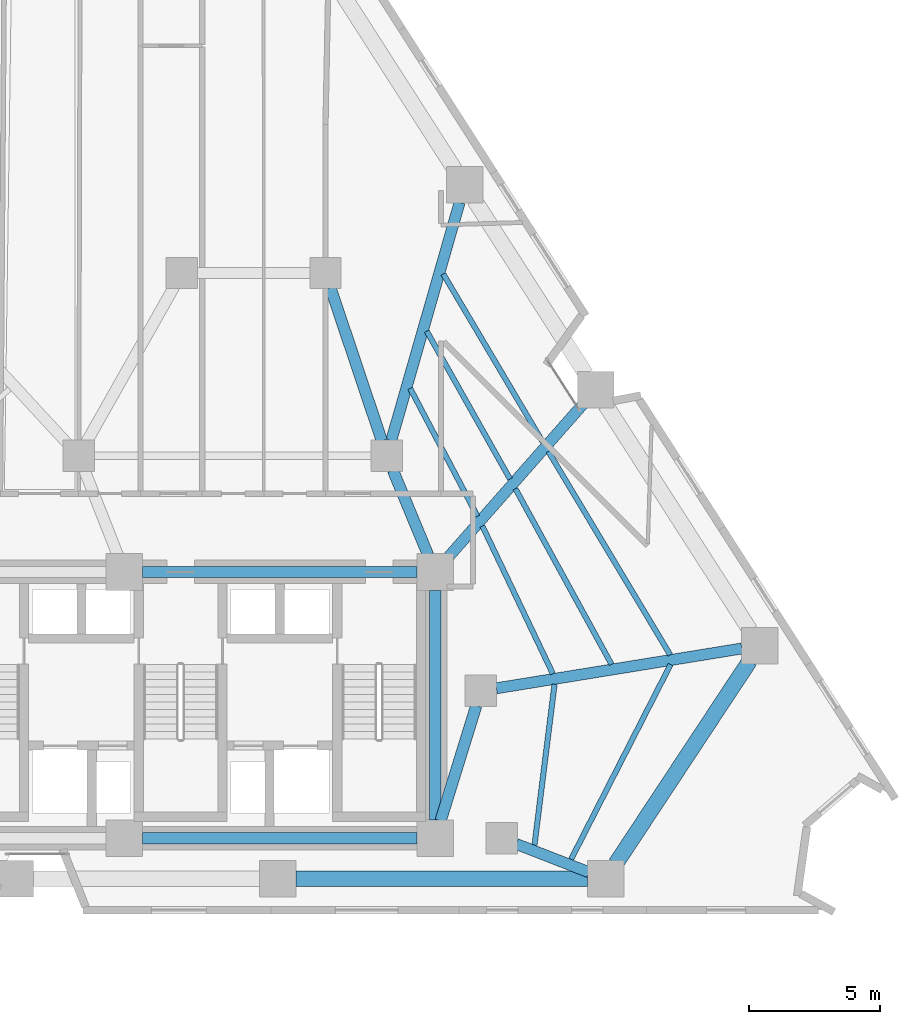
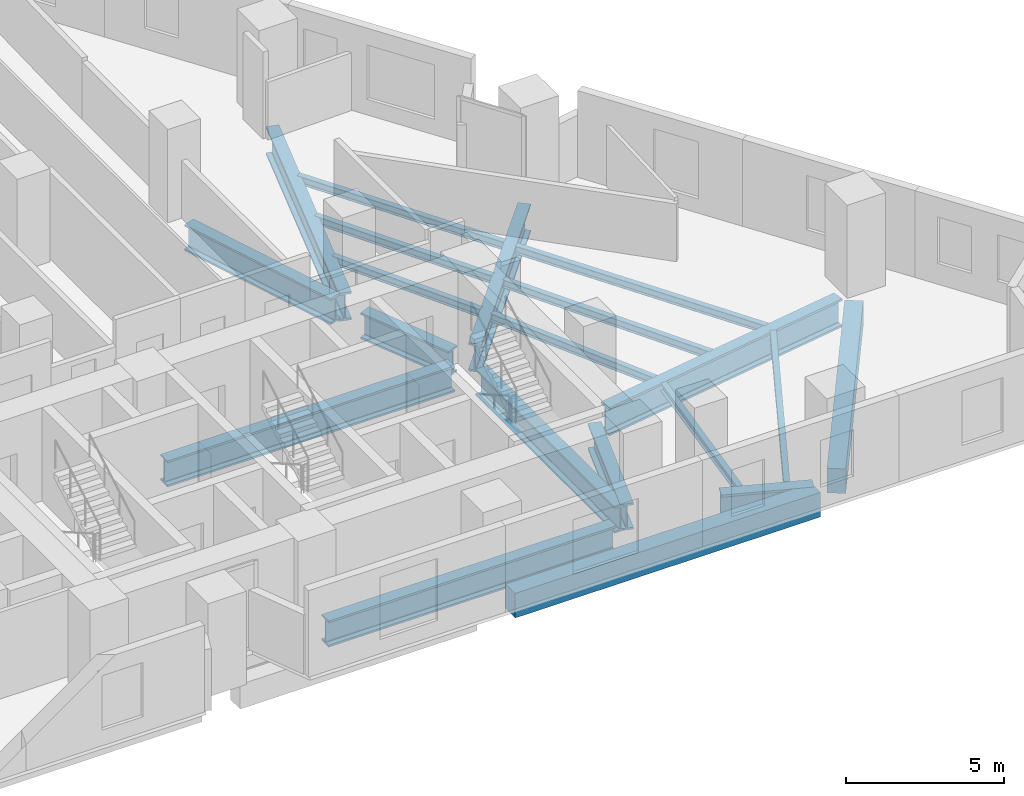
# One storey, part 4 of 15: 20 beams.
"""IFC4 building model written with IfcOpenShell, lengths in metres."""

from ifc_helpers import new_model, si_unit, direction, frame, origin, origin_2d, place, context, subcontext, project, spatial, rectangle, i_section, extrude, material, material_profile, profile_set, type_object, element, save


model = new_model("IFC4")

# Units and contexts
model_context = context("Model", 3, precision=1e-05, world=origin(), true_north=direction((0.0, 1.0)))
body_context = subcontext(model_context, "Body", "Model", "MODEL_VIEW")
ifc_project = project(units=[si_unit("LENGTHUNIT", "METRE"), si_unit("AREAUNIT", "SQUARE_METRE"), si_unit("VOLUMEUNIT", "CUBIC_METRE"), si_unit("PLANEANGLEUNIT", "RADIAN"), si_unit("MASSUNIT", "GRAM", prefix="KILO")], contexts=[model_context])

# Site, building, storey
site_placement = place(None, origin())
site = spatial("IfcSite", under=ifc_project, at=site_placement, CompositionType="ELEMENT")
building_placement = place(site_placement, origin())
building = spatial("IfcBuilding", under=site, at=building_placement, Name="Almagre Mirador Tower", CompositionType="ELEMENT")
storey_placement = place(building_placement, frame((0.0, 0.0, 31.800048828125)))
storey = spatial("IfcBuildingStorey", under=building, at=storey_placement, Name="L06", CompositionType="ELEMENT", Elevation=31.800048828125)

# Beams
ifc_material_1 = material(Name="Steel ASTM A992 Grade 50", Category="steel")
ifc_material_profile_1 = material_profile(ifc_material_1, i_section(OverallWidth=0.205078125, OverallDepth=0.31005859375, WebThickness=0.009521484375, FlangeThickness=0.016357421875, FilletRadius=0.013916015625, at=origin_2d()), Name="W12X50")
ifc_profile_set_1 = profile_set([ifc_material_profile_1], Name="Steel ASTM A992 Grade 50")
beam_type_1 = type_object("IfcBeamType", Name="BM-JST-W12X50", PredefinedType="JOIST", material=ifc_profile_set_1)
beam_1_placement = place(storey_placement, frame((52.251708984375, 3.74462890625, -0.405029296875), z_axis=(0.454936985938, 0.890523631817, 0.0), x_axis=(-0.890523631817, 0.454936985938, 0.0)))
element("IfcBeam", 1, at=beam_1_placement, inside=storey, type_object=beam_type_1, Name="L06 secondary floor joist PC04-PC05.1", PredefinedType="JOIST", context=body_context, shape_type="SweptSolid", body=[
    extrude(i_section(OverallWidth=0.205078125, OverallDepth=0.31005859375, WebThickness=0.009521484375, FlangeThickness=0.016357421875, FilletRadius=0.013916015625, at=origin_2d()), origin(), (0.0, 0.0, 1.0), 8.377685546875),
])
beam_2_placement = place(storey_placement, frame((50.850830078125, 4.283935546875, -0.405029296875), z_axis=(0.124000894941, 0.992282106084, 0.0), x_axis=(-0.992282106084, 0.124000894941, 0.0)))
element("IfcBeam", 2, at=beam_2_placement, inside=storey, type_object=beam_type_1, Name="L06 secondary floor joist PC04-PC05.3", PredefinedType="JOIST", context=body_context, shape_type="SweptSolid", body=[
    extrude(i_section(OverallWidth=0.205078125, OverallDepth=0.31005859375, WebThickness=0.009521484375, FlangeThickness=0.016357421875, FilletRadius=0.013916015625, at=origin_2d()), origin(), (0.0, 0.0, 1.0), 6.215576171875),
])
beam_3_placement = place(storey_placement, frame((56.05029296875, 11.57568359375, -0.405029296875), z_axis=(-0.513855013217, 0.857877045614, 0.0), x_axis=(-0.857877045614, -0.513855013217, 0.0)))
element("IfcBeam", 3, at=beam_3_placement, inside=storey, type_object=beam_type_1, Name="L06 secondary floor joist PC05-PC06.1", PredefinedType="JOIST", context=body_context, shape_type="SweptSolid", body=[
    extrude(i_section(OverallWidth=0.205078125, OverallDepth=0.31005859375, WebThickness=0.009521484375, FlangeThickness=0.016357421875, FilletRadius=0.013916015625, at=origin_2d()), origin(), (0.0, 0.0, 1.0), 9.079345703125),
])
beam_4_placement = place(storey_placement, frame((53.802001953125, 11.214111328125, -0.405029296875), z_axis=(-0.480025755473, 0.877254395305, 0.0), x_axis=(-0.877254395305, -0.480025755473, 0.0)))
element("IfcBeam", 4, at=beam_4_placement, inside=storey, type_object=beam_type_1, Name="L06 secondary floor joist PC05-PC06.2", PredefinedType="JOIST", context=body_context, shape_type="SweptSolid", body=[
    extrude(i_section(OverallWidth=0.205078125, OverallDepth=0.31005859375, WebThickness=0.009521484375, FlangeThickness=0.016357421875, FilletRadius=0.013916015625, at=origin_2d()), origin(), (0.0, 0.0, 1.0), 7.66357421875),
])
beam_5_placement = place(storey_placement, frame((51.556640625, 10.853515625, -0.405029296875), z_axis=(-0.430677649627, 0.902505823866, 0.0), x_axis=(-0.902505823866, -0.430677649627, 0.0)))
element("IfcBeam", 5, at=beam_5_placement, inside=storey, type_object=beam_type_1, Name="L06 secondary floor joist PC05-PC06.3", PredefinedType="JOIST", context=body_context, shape_type="SweptSolid", body=[
    extrude(i_section(OverallWidth=0.205078125, OverallDepth=0.31005859375, WebThickness=0.009521484375, FlangeThickness=0.016357421875, FilletRadius=0.013916015625, at=origin_2d()), origin(), (0.0, 0.0, 1.0), 6.26513671875),
])
beam_6_placement = place(storey_placement, frame((51.16796875, 19.72900390625, -0.405029296875), z_axis=(-0.509387024335, 0.860537540982, 0.0), x_axis=(-0.860537540982, -0.509387024335, 0.0)))
element("IfcBeam", 6, at=beam_6_placement, inside=storey, type_object=beam_type_1, Name="L06 secondary floor joist PC06-PC07.1", PredefinedType="JOIST", context=body_context, shape_type="SweptSolid", body=[
    extrude(i_section(OverallWidth=0.205078125, OverallDepth=0.31005859375, WebThickness=0.009521484375, FlangeThickness=0.016357421875, FilletRadius=0.013916015625, at=origin_2d()), origin(), (0.0, 0.0, 1.0), 7.476806640625),
])
beam_7_placement = place(storey_placement, frame((49.91748046875, 18.3076171875, -0.405029296875), z_axis=(-0.490835301782, 0.871252378203, 0.0), x_axis=(-0.871252378203, -0.490835301782, 0.0)))
element("IfcBeam", 7, at=beam_7_placement, inside=storey, type_object=beam_type_1, Name="L06 secondary floor joist PC06-PC07.2", PredefinedType="JOIST", context=body_context, shape_type="SweptSolid", body=[
    extrude(i_section(OverallWidth=0.205078125, OverallDepth=0.31005859375, WebThickness=0.009521484375, FlangeThickness=0.016357421875, FilletRadius=0.013916015625, at=origin_2d()), origin(), (0.0, 0.0, 1.0), 6.50048828125),
])
beam_8_placement = place(storey_placement, frame((48.668212890625, 16.88671875, -0.405029296875), z_axis=(-0.465804673837, 0.884887566774, 0.0), x_axis=(-0.884887566774, -0.465804673837, 0.0)))
element("IfcBeam", 8, at=beam_8_placement, inside=storey, type_object=beam_type_1, Name="L06 secondary floor joist PC06-PC07.3", PredefinedType="JOIST", context=body_context, shape_type="SweptSolid", body=[
    extrude(i_section(OverallWidth=0.205078125, OverallDepth=0.31005859375, WebThickness=0.009521484375, FlangeThickness=0.016357421875, FilletRadius=0.013916015625, at=origin_2d()), origin(), (0.0, 0.0, 1.0), 5.528564453125),
])
ifc_material_2 = material(Name="Precast concrete C50/60", Category="concrete")
ifc_material_profile_2 = material_profile(ifc_material_2, rectangle(XDim=0.60009765625, YDim=0.949951171875, at=origin_2d()), Name="RC600X950")
ifc_profile_set_2 = profile_set([ifc_material_profile_2], Name="Precast concrete C50/60")
beam_type_2 = type_object("IfcBeamType", Name="BM-SPN-RC600X950", PredefinedType="SPANDREL", material=ifc_profile_set_2)
beam_9_placement = place(storey_placement, frame((41.72412109375, 3.0, -0.72509765625), z_axis=(1.0, 0.0, 0.0), x_axis=(0.0, 1.0, 0.0)))
element("IfcBeam", 9, at=beam_9_placement, inside=storey, type_object=beam_type_2, Name="L06 perimeter spandrel beam PC03-PC04", PredefinedType="SPANDREL", context=body_context, shape_type="SweptSolid", body=[
    extrude(rectangle(XDim=0.60009765625, YDim=0.949951171875, at=origin_2d()), origin(), (0.0, 0.0, 1.0), 11.159912109375),
])
beam_10_placement = place(storey_placement, frame((53.9697265625, 3.584228515625, -0.72509765625), z_axis=(0.550976725149, 0.834520609898, 0.0), x_axis=(-0.834520609898, 0.550976725149, 0.0)))
element("IfcBeam", 10, at=beam_10_placement, inside=storey, type_object=beam_type_2, Name="L06 perimeter spandrel beam PC04-PC05", PredefinedType="SPANDREL", context=body_context, shape_type="SweptSolid", body=[
    extrude(rectangle(XDim=0.60009765625, YDim=0.949951171875, at=origin_2d()), origin(), (0.0, 0.0, 1.0), 9.304443359375),
])
ifc_material_3 = material(Name="Steel ASTM A992 Grade 50", Category="steel")
ifc_material_profile_3 = material_profile(ifc_material_3, i_section(OverallWidth=0.43701171875, OverallDepth=1.010986328125, WebThickness=0.041015625, FlangeThickness=0.073974609375, FilletRadius=0.028076171875, at=origin_2d()), Name="W36X529")
ifc_profile_set_3 = profile_set([ifc_material_profile_3], Name="Steel ASTM A992 Grade 50")
beam_type_3 = type_object("IfcBeamType", Name="BM-STL-W36X529", PredefinedType="BEAM", material=ifc_profile_set_3)
for number, where, z_axis, x_axis, name in (
    (11, (35.85009765625, 4.550048828125, -0.755615234375), (1.0, 0.0, 0.0), (0.0, 1.0, 0.0), "L06 core tie girder CC2-CC3"),
    (12, (35.85009765625, 14.75, -0.755615234375), (1.0, 0.0, 0.0), (0.0, 1.0, 0.0), "L06 core tie girder CC5-CC6"),
):
    element("IfcBeam", number, at=place(storey_placement, frame(where, z_axis=z_axis, x_axis=x_axis)), inside=storey, type_object=beam_type_3, Name=name, PredefinedType="BEAM", context=body_context, shape_type="SweptSolid", body=[
        extrude(i_section(OverallWidth=0.43701171875, OverallDepth=1.010986328125, WebThickness=0.041015625, FlangeThickness=0.073974609375, FilletRadius=0.028076171875, at=origin_2d()), origin(), (0.0, 0.0, 1.0), 10.5),
    ])
beam_11_placement = place(storey_placement, frame((47.050048828125, 5.25, -0.755615234375), z_axis=(0.0, 1.0, 0.0), x_axis=(-1.0, 0.0, 0.0)))
element("IfcBeam", 13, at=beam_11_placement, inside=storey, type_object=beam_type_3, Name="L06 core tie girder CC3-CC6", PredefinedType="BEAM", context=body_context, shape_type="SweptSolid", body=[
    extrude(i_section(OverallWidth=0.43701171875, OverallDepth=1.010986328125, WebThickness=0.041015625, FlangeThickness=0.073974609375, FilletRadius=0.028076171875, at=origin_2d()), origin(), (0.0, 0.0, 1.0), 8.800048828125),
])
beam_12_placement = place(storey_placement, frame((48.62255859375, 9.626953125, -0.755615234375), z_axis=(-0.295888328273, -0.955222538046, 0.0), x_axis=(0.955222538046, -0.295888328273, 0.0)))
element("IfcBeam", 14, at=beam_12_placement, inside=storey, type_object=beam_type_3, Name="L06 core tie girder MC3-CC3", PredefinedType="BEAM", context=body_context, shape_type="SweptSolid", body=[
    extrude(i_section(OverallWidth=0.43701171875, OverallDepth=1.010986328125, WebThickness=0.041015625, FlangeThickness=0.073974609375, FilletRadius=0.028076171875, at=origin_2d()), origin(), (0.0, 0.0, 1.0), 4.61474609375),
])
beam_13_placement = place(storey_placement, frame((45.430419921875, 18.64599609375, -0.755615234375), z_axis=(0.383856635851, -0.923392702545, 0.0), x_axis=(0.923392702545, 0.383856635851, 0.0)))
element("IfcBeam", 15, at=beam_13_placement, inside=storey, type_object=beam_type_3, Name="L06 core tie girder MC5-CC6", PredefinedType="BEAM", context=body_context, shape_type="SweptSolid", body=[
    extrude(i_section(OverallWidth=0.43701171875, OverallDepth=1.010986328125, WebThickness=0.041015625, FlangeThickness=0.073974609375, FilletRadius=0.028076171875, at=origin_2d()), origin(), (0.0, 0.0, 1.0), 3.51904296875),
])
beam_14_placement = place(storey_placement, frame((43.041015625, 25.631103515625, -0.755615234375), z_axis=(0.318252395552, -0.948006019351, 0.0), x_axis=(0.948006019351, 0.318252395552, 0.0)))
element("IfcBeam", 16, at=beam_14_placement, inside=storey, type_object=beam_type_3, Name="L06 core tie girder MC6-MC5", PredefinedType="BEAM", context=body_context, shape_type="SweptSolid", body=[
    extrude(i_section(OverallWidth=0.43701171875, OverallDepth=1.010986328125, WebThickness=0.041015625, FlangeThickness=0.073974609375, FilletRadius=0.028076171875, at=origin_2d()), origin(), (0.0, 0.0, 1.0), 6.183837890625),
])
ifc_material_4 = material(Name="Steel ASTM A913 Grade 65", Category="steel")
ifc_material_profile_4 = material_profile(ifc_material_4, i_section(OverallWidth=0.424072265625, OverallDepth=1.092041015625, WebThickness=0.04541015625, FlangeThickness=0.08203125, FilletRadius=0.030029296875, at=origin_2d()), Name="W40X593")
ifc_profile_set_4 = profile_set([ifc_material_profile_4], Name="Steel ASTM A913 Grade 65")
beam_type_4 = type_object("IfcBeamType", Name="BM-STL-W40X593", PredefinedType="BEAM", material=ifc_profile_set_4)
beam_15_placement = place(storey_placement, frame((52.931640625, 3.25390625, -0.796142578125), z_axis=(-0.931955378588, 0.362572988957, 0.0), x_axis=(-0.362572988957, -0.931955378588, 0.0)))
element("IfcBeam", 17, at=beam_15_placement, inside=storey, type_object=beam_type_4, Name="L06 radial floor girder PC04-MC2", PredefinedType="BEAM", context=body_context, shape_type="SweptSolid", body=[
    extrude(i_section(OverallWidth=0.424072265625, OverallDepth=1.092041015625, WebThickness=0.04541015625, FlangeThickness=0.08203125, FilletRadius=0.030029296875, at=origin_2d()), origin(), (0.0, 0.0, 1.0), 2.974853515625),
])
beam_16_placement = place(storey_placement, frame((58.791015625, 11.82080078125, -0.796142578125), z_axis=(-0.987096387793, -0.160127203205, 0.0), x_axis=(0.160127203205, -0.987096387793, 0.0)))
element("IfcBeam", 18, at=beam_16_placement, inside=storey, type_object=beam_type_4, Name="L06 radial floor girder PC05-MC3", PredefinedType="BEAM", context=body_context, shape_type="SweptSolid", body=[
    extrude(i_section(OverallWidth=0.424072265625, OverallDepth=1.092041015625, WebThickness=0.04541015625, FlangeThickness=0.08203125, FilletRadius=0.030029296875, at=origin_2d()), origin(), (0.0, 0.0, 1.0), 9.521484375),
])
beam_17_placement = place(storey_placement, frame((52.7392578125, 21.207763671875, -0.796142578125), z_axis=(-0.661045445009, -0.750345866673, 0.0), x_axis=(0.750345866673, -0.661045445009, 0.0)))
element("IfcBeam", 19, at=beam_17_placement, inside=storey, type_object=beam_type_4, Name="L06 radial floor girder PC06-CC6", PredefinedType="BEAM", context=body_context, shape_type="SweptSolid", body=[
    extrude(i_section(OverallWidth=0.424072265625, OverallDepth=1.092041015625, WebThickness=0.04541015625, FlangeThickness=0.08203125, FilletRadius=0.030029296875, at=origin_2d()), origin(), (0.0, 0.0, 1.0), 7.906494140625),
])
beam_18_placement = place(storey_placement, frame((47.98486328125, 28.900146484375, -0.796142578125), z_axis=(-0.275954024649, -0.961170836158, 0.0), x_axis=(0.961170836158, -0.275954024649, 0.0)))
element("IfcBeam", 20, at=beam_18_placement, inside=storey, type_object=beam_type_4, Name="L06 radial floor girder PC07-MC5", PredefinedType="BEAM", context=body_context, shape_type="SweptSolid", body=[
    extrude(i_section(OverallWidth=0.424072265625, OverallDepth=1.092041015625, WebThickness=0.04541015625, FlangeThickness=0.08203125, FilletRadius=0.030029296875, at=origin_2d()), origin(), (0.0, 0.0, 1.0), 9.4921875),
])

save(model, "model.ifc")
